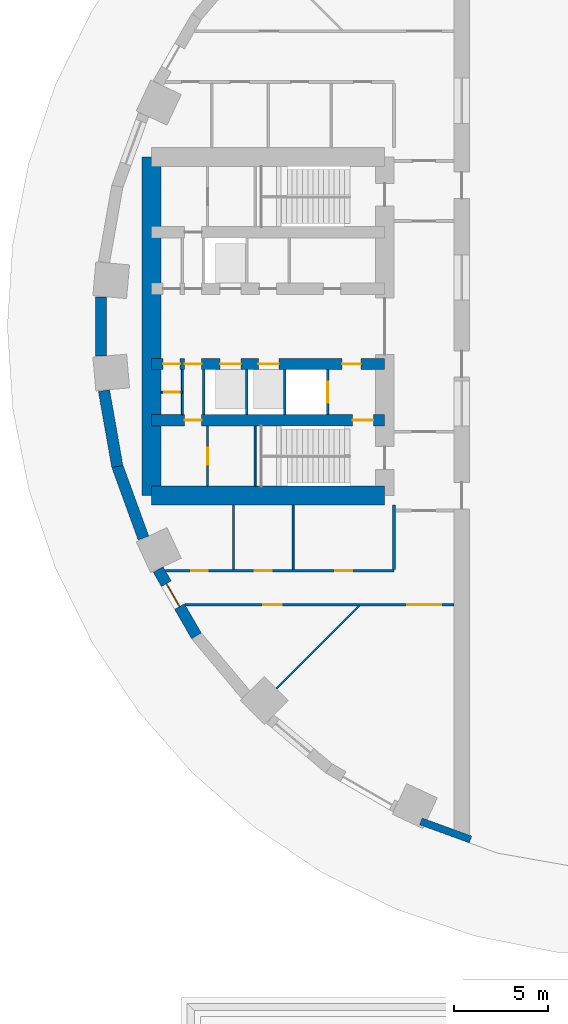
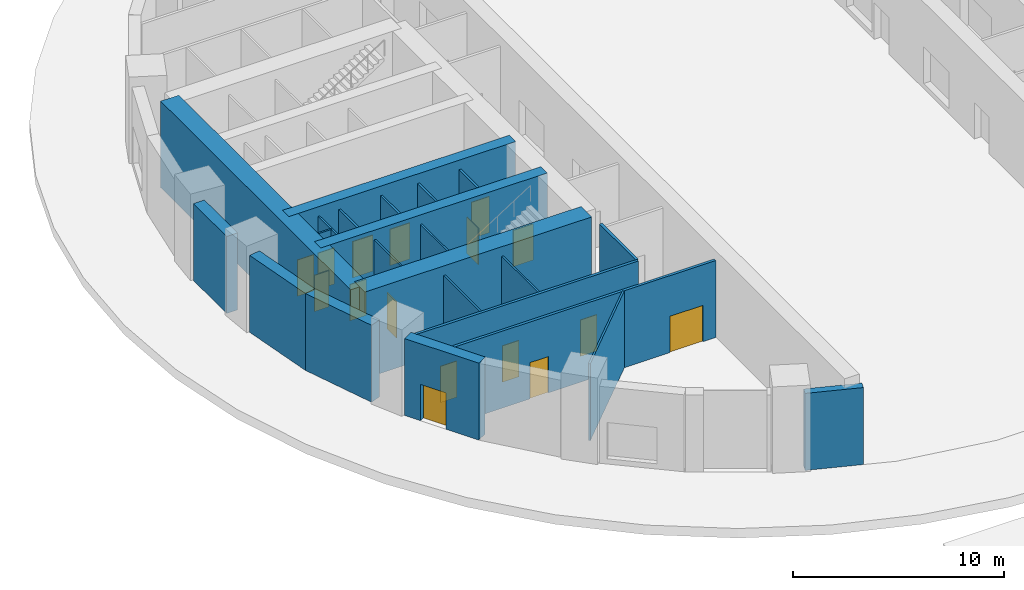
# One storey, part 2 of 10: 23 walls, 16 doors, 16 openings.
"""IFC4 building model written with IfcOpenShell, lengths in metres."""

from ifc_helpers import new_model, si_unit, direction, frame, frame_2d, origin, place, context, subcontext, project, spatial, polyline, rectangle, outline, extrude, material, layer, layer_set, type_object, element, fill, save


model = new_model("IFC4")

# Units and contexts
model_context = context("Model", 3, precision=1e-05, world=origin(), true_north=direction((0.0, 1.0)))
body_context = subcontext(model_context, "Body", "Model", "MODEL_VIEW")
ifc_project = project(units=[si_unit("LENGTHUNIT", "METRE"), si_unit("AREAUNIT", "SQUARE_METRE"), si_unit("VOLUMEUNIT", "CUBIC_METRE"), si_unit("PLANEANGLEUNIT", "RADIAN"), si_unit("MASSUNIT", "GRAM", prefix="KILO")], contexts=[model_context])

# Site, building, storey
site_placement = place(None, origin())
site = spatial("IfcSite", under=ifc_project, at=site_placement, CompositionType="ELEMENT")
building_placement = place(site_placement, origin())
building = spatial("IfcBuilding", under=site, at=building_placement, Name="Saqina Gate Tower", CompositionType="ELEMENT")
storey_placement = place(building_placement, origin())
storey = spatial("IfcBuildingStorey", under=building, at=storey_placement, Name="L00", CompositionType="ELEMENT", Elevation=0.0)

# Wall
ifc_material_1 = material(Name="Gypsum board on steel studs", Category="steel")
ifc_layer_1 = layer(ifc_material_1, 0.10009765625)
ifc_layer_set_1 = layer_set([ifc_layer_1], Name="CORE PARTITION")
wall_type_1 = type_object("IfcWallType", Name="CORE PARTITION", PredefinedType="PARTITIONING", material=ifc_layer_set_1)
wall_1_placement = place(storey_placement, frame((-24.260009765625, -4.699951171875, 0.0), z_axis=(0.0, 0.0, 1.0), x_axis=(0.0, 1.0, 0.0)))
element("IfcWall", 1, at=wall_1_placement, inside=storey, type_object=wall_type_1, Name="L00-CP-W09", PredefinedType="PARTITIONING", context=body_context, shape_type="SweptSolid", body=[
    extrude(rectangle(XDim=2.39990234375, YDim=0.10009765625, at=frame_2d((1.199951171875, 0.0))), origin(), (0.0, 0.0, 1.0), 4.449951171875),
])

# Wall, opening, door
wall_2_placement = place(storey_placement, frame((-24.260009765625, -3.5, 0.0), z_axis=(0.0, 0.0, 1.0), x_axis=(-1.0, 0.0, 0.0)))
wall_2 = element("IfcWall", 2, at=wall_2_placement, inside=storey, type_object=wall_type_1, Name="L00-CP-W10", PredefinedType="PARTITIONING", context=body_context, shape_type="SweptSolid", body=[
    extrude(rectangle(XDim=1.139892578125, YDim=0.10009765625, at=frame_2d((0.56982421875, 0.0))), origin(), (0.0, 0.0, 1.0), 4.449951171875),
])
opening_1_placement = place(wall_2_placement, frame((0.14990234375, 0.0, 0.0)))
opening_1 = element("IfcOpeningElement", 3, at=opening_1_placement, cuts=wall_2, Name="Opening L00-D115", PredefinedType="OPENING", context=body_context, shape_type="SweptSolid", body=[
    extrude(rectangle(XDim=0.800048828125, YDim=2.10009765625, at=frame_2d((0.39990234375, 1.050048828125))), frame((0.0, 0.06201171875, 0.0), z_axis=(0.0, -1.0, 0.0), x_axis=(1.0, 0.0, 0.0)), (0.0, 0.0, 1.0), 0.1240234375),
])
ifc_material_2 = material(Name="Steel-framed fire door leaf, EI 60", Category="steel")
door_type_1 = type_object("IfcDoorType", Name="SERVICE ROOM DOOR 800", OperationType="SINGLE_SWING_LEFT", PredefinedType="DOOR", material=ifc_material_2)
door_1_placement = place(opening_1_placement, origin())
door_1 = element("IfcDoor", 4, at=door_1_placement, inside=storey, type_object=door_type_1, Name="L00-CD-W26", OperationType="SINGLE_SWING_RIGHT", OverallHeight=2.10009765625, OverallWidth=0.800048828125, PredefinedType="DOOR", context=body_context, shape_type="SweptSolid", body=[
    extrude(rectangle(XDim=0.800048828125, YDim=2.10009765625, at=frame_2d((0.39990234375, 1.050048828125))), frame((0.0, 0.02490234375, 0.0), z_axis=(0.0, -1.0, 0.0), x_axis=(1.0, 0.0, 0.0)), (0.0, 0.0, 1.0), 0.050048828125),
])
fill(opening_1, door_1)

wall_3_placement = place(storey_placement, frame((-22.919921875, -8.5, 0.0), z_axis=(0.0, 0.0, 1.0), x_axis=(0.0, 1.0, 0.0)))
wall_3 = element("IfcWall", 5, at=wall_3_placement, inside=storey, type_object=wall_type_1, Name="L00-CP-W14", PredefinedType="PARTITIONING", context=body_context, shape_type="SweptSolid", body=[
    extrude(rectangle(XDim=3.199951171875, YDim=0.10009765625, at=frame_2d((1.60009765625, 0.0))), origin(), (0.0, 0.0, 1.0), 4.449951171875),
])
opening_2_placement = place(wall_3_placement, frame((1.14990234375, 0.0, 0.0)))
opening_2 = element("IfcOpeningElement", 6, at=opening_2_placement, cuts=wall_3, Name="Opening L00-D116", PredefinedType="OPENING", context=body_context, shape_type="SweptSolid", body=[
    extrude(rectangle(XDim=0.89990234375, YDim=2.10009765625, at=frame_2d((0.449951171875, 1.050048828125))), frame((0.0, 0.06201171875, 0.0), z_axis=(0.0, -1.0, 0.0), x_axis=(1.0, 0.0, 0.0)), (0.0, 0.0, 1.0), 0.1240234375),
])
ifc_material_3 = material(Name="Steel-framed fire door leaf, EI 60", Category="steel")
door_type_2 = type_object("IfcDoorType", Name="SERVICE ROOM DOOR 900", OperationType="SINGLE_SWING_LEFT", PredefinedType="DOOR", material=ifc_material_3)
door_2_placement = place(opening_2_placement, frame((0.89990234375, 0.0, 0.0), z_axis=(0.0, 0.0, 1.0), x_axis=(-1.0, 0.0, 0.0)))
door_2 = element("IfcDoor", 7, at=door_2_placement, inside=storey, type_object=door_type_2, Name="L00-CD-W27", OperationType="SINGLE_SWING_RIGHT", OverallHeight=2.10009765625, OverallWidth=0.89990234375, PredefinedType="DOOR", context=body_context, shape_type="SweptSolid", body=[
    extrude(rectangle(XDim=0.89990234375, YDim=2.10009765625, at=frame_2d((0.449951171875, 1.050048828125))), frame((0.0, 0.02490234375, 0.0), z_axis=(0.0, -1.0, 0.0), x_axis=(1.0, 0.0, 0.0)), (0.0, 0.0, 1.0), 0.050048828125),
])
fill(opening_2, door_2)

# Wall
ifc_material_4 = material(Name="Glazed ceramic tile", Category="ceramic")
ifc_layer_2 = layer(ifc_material_4, 0.3798828125)
ifc_layer_set_2 = layer_set([ifc_layer_2], Name="FW-ARCH")
wall_type_2 = type_object("IfcWallType", Name="FW-ARCH", PredefinedType="SOLIDWALL", material=ifc_layer_set_2)
wall_4_placement = place(storey_placement, frame((-11.640625, -26.5068359375, 0.0), z_axis=(-0.342028363555, -0.939687527149, 0.001987421433), x_axis=(0.00066157174, 0.001874177487, 0.999998024889)))
element("IfcWall", 8, at=wall_4_placement, inside=storey, type_object=wall_type_2, Name="Arch frame wall L00 facet 25", PredefinedType="SOLIDWALL", context=body_context, shape_type="SweptSolid", body=[
    extrude(outline(polyline([(0.0, 0.0), (4.449959878062576, -5.421010862427522e-19), (4.449905577463616, -2.8103487256011928), (-5.446211549906747e-05, -2.8101193092447616), (0.0, 0.0)])), origin(), (0.0, 0.0, -1.0), 0.3798828125),
])

# Wall, opening, door
ifc_material_5 = material(Name="Brick masonry (red)", Category="masonry")
ifc_layer_3 = layer(ifc_material_5, 0.60009765625)
ifc_layer_set_3 = layer_set([ifc_layer_3], Name="FW-BRICK-RED")
wall_type_3 = type_object("IfcWallType", Name="FW-BRICK-RED", PredefinedType="SOLIDWALL", material=ifc_layer_set_3)
wall_5_placement = place(storey_placement, frame((-25.545166015625, -12.933837890625, 0.0), z_axis=(0.0, 0.0, 1.0), x_axis=(0.500023678693, -0.866011732453, 0.0)))
wall_5 = element("IfcWall", 9, at=wall_5_placement, inside=storey, type_object=wall_type_3, Name="Facade wall L00 facet 21", PredefinedType="SOLIDWALL", context=body_context, shape_type="SweptSolid", body=[
    extrude(rectangle(XDim=4.069091796875, YDim=0.60009765625, at=frame_2d((2.03466796875, 0.0))), origin(), (0.0, 0.0, 1.0), 4.449951171875),
])
opening_3_placement = place(wall_5_placement, frame((0.87158203125, 0.0, 0.0)))
opening_3 = element("IfcOpeningElement", 10, at=opening_3_placement, cuts=wall_5, Name="Opening L00-D43", PredefinedType="OPENING", context=body_context, shape_type="SweptSolid", body=[
    extrude(rectangle(XDim=1.39990234375, YDim=2.10009765625, at=frame_2d((0.699951171875, 1.050048828125))), frame((0.0, 0.31201171875, 0.0), z_axis=(0.0, -1.0, 0.0), x_axis=(1.0, 0.0, 0.0)), (0.0, 0.0, 1.0), 0.6240234375),
])
ifc_material_6 = material(Name="Steel door leaf with glazed vision panel", Category="steel")
door_type_3 = type_object("IfcDoorType", Name="EXIT DOOR 1400 STEEL", OperationType="SINGLE_SWING_LEFT", PredefinedType="DOOR", material=ifc_material_6)
door_3_placement = place(opening_3_placement, frame((1.39990234375, 0.0, 0.0), z_axis=(0.0, 0.0, 1.0), x_axis=(-1.0, 0.0, 0.0)))
door_3 = element("IfcDoor", 11, at=door_3_placement, inside=storey, type_object=door_type_3, Name="Pedestrian exit 10", OperationType="SINGLE_SWING_RIGHT", OverallHeight=2.10009765625, OverallWidth=1.39990234375, PredefinedType="DOOR", context=body_context, shape_type="SweptSolid", body=[
    extrude(rectangle(XDim=1.39990234375, YDim=2.10009765625, at=frame_2d((0.699951171875, 1.050048828125))), frame((0.0, 0.02490234375, 0.0), z_axis=(0.0, -1.0, 0.0), x_axis=(1.0, 0.0, 0.0)), (0.0, 0.0, 1.0), 0.050048828125),
])
fill(opening_3, door_3)

# Walls
ifc_material_7 = material(Name="Glazed ceramic tile", Category="ceramic")
ifc_layer_4 = layer(ifc_material_7, 0.60009765625)
ifc_layer_set_4 = layer_set([ifc_layer_4], Name="FW-TILE")
wall_type_4 = type_object("IfcWallType", Name="FW-TILE", PredefinedType="SOLIDWALL", material=ifc_layer_set_4)
wall_6_placement = place(storey_placement, frame((-28.42822265625, -3.416748046875, 0.0), z_axis=(0.0, 0.0, 1.0), x_axis=(0.173673210505, -0.984803338719, 0.0)))
element("IfcWall", 12, at=wall_6_placement, inside=storey, type_object=wall_type_4, Name="Facade wall L00 facet 19", PredefinedType="SOLIDWALL", context=body_context, shape_type="SweptSolid", body=[
    extrude(rectangle(XDim=4.09912109375, YDim=0.60009765625, at=frame_2d((2.049560546875, 0.0))), origin(), (0.0, 0.0, 1.0), 4.449951171875),
])
ifc_material_8 = material(Name="Glazed ceramic tile (dark blue)", Category="ceramic")
ifc_layer_5 = layer(ifc_material_8, 0.60009765625)
ifc_layer_set_5 = layer_set([ifc_layer_5], Name="FW-TILE-CB")
wall_type_5 = type_object("IfcWallType", Name="FW-TILE-CB", PredefinedType="SOLIDWALL", material=ifc_layer_set_5)
wall_7_placement = place(storey_placement, frame((-28.589599609375, 1.571533203125, 0.0), z_axis=(0.0, 0.0, 1.0), x_axis=(0.0, -1.0, 0.0)))
element("IfcWall", 13, at=wall_7_placement, inside=storey, type_object=wall_type_5, Name="Facade wall L00 facet 18", PredefinedType="SOLIDWALL", context=body_context, shape_type="SweptSolid", body=[
    extrude(rectangle(XDim=3.14306640625, YDim=0.60009765625, at=frame_2d((1.571533203125, 0.0))), origin(), (0.0, 0.0, 1.0), 4.449951171875),
])
ifc_material_9 = material(Name="Glazed ceramic tile (white)", Category="ceramic")
ifc_layer_6 = layer(ifc_material_9, 0.60009765625)
ifc_layer_set_6 = layer_set([ifc_layer_6], Name="FW-TILE-WH")
wall_type_6 = type_object("IfcWallType", Name="FW-TILE-WH", PredefinedType="SOLIDWALL", material=ifc_layer_set_6)
wall_8_placement = place(storey_placement, frame((-27.72998046875, -7.403076171875, 0.0), z_axis=(0.0, 0.0, 1.0), x_axis=(0.342034744565, -0.939687306241, 0.0)))
element("IfcWall", 14, at=wall_8_placement, inside=storey, type_object=wall_type_6, Name="Facade wall L00 facet 20", PredefinedType="SOLIDWALL", context=body_context, shape_type="SweptSolid", body=[
    extrude(rectangle(XDim=4.099365234375, YDim=0.60009765625, at=frame_2d((2.0498046875, 0.0))), origin(), (0.0, 0.0, 1.0), 4.449951171875),
])

# Wall, opening, door
ifc_material_10 = material(Name="Autoclaved aerated concrete block", Category="concrete")
ifc_layer_7 = layer(ifc_material_10, 0.1201171875)
ifc_layer_set_7 = layer_set([ifc_layer_7], Name="SHAFT PARTITION")
wall_type_7 = type_object("IfcWallType", Name="SHAFT PARTITION", PredefinedType="PARTITIONING", material=ifc_layer_set_7)
wall_9_placement = place(storey_placement, frame((-16.530029296875, -4.699951171875, 0.0), z_axis=(0.0, 0.0, 1.0), x_axis=(0.0, 1.0, 0.0)))
wall_9 = element("IfcWall", 15, at=wall_9_placement, inside=storey, type_object=wall_type_7, Name="L00-CP-W05", PredefinedType="PARTITIONING", context=body_context, shape_type="SweptSolid", body=[
    extrude(rectangle(XDim=2.39990234375, YDim=0.1201171875, at=frame_2d((1.199951171875, 0.0))), origin(), (0.0, 0.0, 1.0), 4.449951171875),
])
opening_4_placement = place(wall_9_placement, frame((0.64990234375, 0.0, 0.0)))
opening_4 = element("IfcOpeningElement", 16, at=opening_4_placement, cuts=wall_9, Name="Opening L00-LD6", PredefinedType="OPENING", context=body_context, shape_type="SweptSolid", body=[
    extrude(rectangle(XDim=1.10009765625, YDim=2.10009765625, at=frame_2d((0.550048828125, 1.050048828125))), frame((0.0, 0.072021484375, 0.0), z_axis=(0.0, -1.0, 0.0), x_axis=(1.0, 0.0, 0.0)), (0.0, 0.0, 1.0), 0.14404296875),
])
ifc_material_11 = material(Name="Stainless steel", Category="steel")
door_type_4 = type_object("IfcDoorType", Name="LANDING DOOR", OperationType="DOUBLE_DOOR_SLIDING", PredefinedType="DOOR", material=ifc_material_11)
door_4_placement = place(opening_4_placement, origin())
door_4 = element("IfcDoor", 17, at=door_4_placement, inside=storey, type_object=door_type_4, Name="LANDING DOOR FF2", OperationType="DOUBLE_DOOR_SLIDING", OverallHeight=2.10009765625, OverallWidth=1.10009765625, PredefinedType="DOOR", context=body_context, shape_type="SweptSolid", body=[
    extrude(rectangle(XDim=1.10009765625, YDim=2.10009765625, at=frame_2d((0.550048828125, 1.050048828125))), frame((0.0, 0.02490234375, 0.0), z_axis=(0.0, -1.0, 0.0), x_axis=(1.0, 0.0, 0.0)), (0.0, 0.0, 1.0), 0.050048828125),
])
fill(opening_4, door_4)

# Walls
for number, where, z_axis, x_axis, name in (
    (18, (-18.81005859375, -4.699951171875, 0.0), (0.0, 0.0, 1.0), (0.0, 1.0, 0.0), "L00-CP-W06"),
    (19, (-20.840087890625, -4.699951171875, 0.0), (0.0, 0.0, 1.0), (0.0, 1.0, 0.0), "L00-CP-W07"),
    (20, (-23.1201171875, -4.699951171875, 0.0), (0.0, 0.0, 1.0), (0.0, 1.0, 0.0), "L00-CP-W08"),
):
    element("IfcWall", number, at=place(storey_placement, frame(where, z_axis=z_axis, x_axis=x_axis)), inside=storey, type_object=wall_type_7, Name=name, PredefinedType="PARTITIONING", context=body_context, shape_type="SweptSolid", body=[
        extrude(rectangle(XDim=2.39990234375, YDim=0.1201171875, at=frame_2d((1.199951171875, 0.0))), origin(), (0.0, 0.0, 1.0), 4.449951171875),
    ])
ifc_material_12 = material(Name="Gypsum board on steel studs, 100 mm", Category="steel")
ifc_layer_8 = layer(ifc_material_12, 0.10009765625)
ifc_layer_set_8 = layer_set([ifc_layer_8], Name="SPECIAL PARTITION 100")
wall_type_8 = type_object("IfcWallType", Name="SPECIAL PARTITION 100", PredefinedType="PARTITIONING", material=ifc_layer_set_8)
wall_10_placement = place(storey_placement, frame((-19.26171875, -19.26171875, 0.0), z_axis=(0.0, 0.0, 1.0), x_axis=(0.707106781187, 0.707106781187, 0.0)))
element("IfcWall", 21, at=wall_10_placement, inside=storey, type_object=wall_type_8, Name="PARTITION 020", PredefinedType="PARTITIONING", context=body_context, shape_type="SweptSolid", body=[
    extrude(rectangle(XDim=6.23486328125, YDim=0.10009765625, at=frame_2d((3.117431640625, 0.0))), origin(), (0.0, 0.0, 1.0), 4.449951171875),
])
for number, where, z_axis, x_axis, name in (
    (22, (-18.367919921875, -12.925048828125, 0.0), (0.0, 0.0, 1.0), (0.0, 1.0, 0.0), "PARTITION 033"),
    (23, (-21.5400390625, -12.925048828125, 0.0), (0.0, 0.0, 1.0), (0.0, 1.0, 0.0), "PARTITION 035"),
):
    element("IfcWall", number, at=place(storey_placement, frame(where, z_axis=z_axis, x_axis=x_axis)), inside=storey, type_object=wall_type_8, Name=name, PredefinedType="PARTITIONING", context=body_context, shape_type="SweptSolid", body=[
        extrude(rectangle(XDim=3.425048828125, YDim=0.10009765625, at=frame_2d((1.71240234375, 0.0))), origin(), (0.0, 0.0, 1.0), 4.449951171875),
    ])

# Wall, openings, doors
ifc_material_13 = material(Name="Gypsum board on steel studs, 150 mm, fire rated", Category="steel")
ifc_layer_9 = layer(ifc_material_13, 0.14990234375)
ifc_layer_set_9 = layer_set([ifc_layer_9], Name="SPECIAL PARTITION EI 30 150")
wall_type_9 = type_object("IfcWallType", Name="SPECIAL PARTITION EI 30 150", PredefinedType="PARTITIONING", material=ifc_layer_set_9)
wall_11_placement = place(storey_placement, frame((-24.12109375, -14.800048828125, 0.0), z_axis=(0.0, 0.0, 1.0), x_axis=(1.0, 0.0, 0.0)))
wall_11 = element("IfcWall", 24, at=wall_11_placement, inside=storey, type_object=wall_type_9, Name="PARTITION 004", PredefinedType="PARTITIONING", context=body_context, shape_type="SweptSolid", body=[
    extrude(rectangle(XDim=14.321044921875, YDim=0.14990234375, at=frame_2d((7.16064453125, 0.0))), origin(), (0.0, 0.0, 1.0), 4.449951171875),
])
opening_5_placement = place(wall_11_placement, frame((4.159423828125, 0.0, 0.0)))
opening_5 = element("IfcOpeningElement", 25, at=opening_5_placement, cuts=wall_11, Name="Opening L00-D20", PredefinedType="OPENING", context=body_context, shape_type="SweptSolid", body=[
    extrude(rectangle(XDim=1.0, YDim=2.10009765625, at=frame_2d((0.5, 1.050048828125))), frame((0.0, 0.0869140625, 0.0), z_axis=(0.0, -1.0, 0.0), x_axis=(1.0, 0.0, 0.0)), (0.0, 0.0, 1.0), 0.173828125),
])
opening_6_placement = place(wall_11_placement, frame((11.819091796875, 0.0, 0.0)))
opening_6 = element("IfcOpeningElement", 26, at=opening_6_placement, cuts=wall_11, Name="Opening L00-D23", PredefinedType="OPENING", context=body_context, shape_type="SweptSolid", body=[
    extrude(rectangle(XDim=1.800048828125, YDim=2.10009765625, at=frame_2d((0.89990234375, 1.050048828125))), frame((0.0, 0.0869140625, 0.0), z_axis=(0.0, -1.0, 0.0), x_axis=(1.0, 0.0, 0.0)), (0.0, 0.0, 1.0), 0.173828125),
])
ifc_material_14 = material(Name="Steel-framed fire door leaf, EI 30", Category="steel")
door_type_5 = type_object("IfcDoorType", Name="SPECIAL DOOR 1000 FIRE EI 30", OperationType="SINGLE_SWING_LEFT", PredefinedType="DOOR", material=ifc_material_14)
door_5_placement = place(opening_5_placement, frame((1.0, 0.0, 0.0), z_axis=(0.0, 0.0, 1.0), x_axis=(-1.0, 0.0, 0.0)))
door_5 = element("IfcDoor", 27, at=door_5_placement, inside=storey, type_object=door_type_5, Name="DOOR L00-D20", OperationType="SINGLE_SWING_RIGHT", OverallHeight=2.10009765625, OverallWidth=1.0, PredefinedType="DOOR", context=body_context, shape_type="SweptSolid", body=[
    extrude(rectangle(XDim=1.0, YDim=2.10009765625, at=frame_2d((0.5, 1.050048828125))), frame((0.0, 0.02490234375, 0.0), z_axis=(0.0, -1.0, 0.0), x_axis=(1.0, 0.0, 0.0)), (0.0, 0.0, 1.0), 0.050048828125),
])
fill(opening_5, door_5)
ifc_material_15 = material(Name="Steel-framed fire door leaf, EI 30", Category="steel")
door_type_6 = type_object("IfcDoorType", Name="SPECIAL DOUBLE DOOR 1800 FIRE EI 30", OperationType="DOUBLE_DOOR_SINGLE_SWING", PredefinedType="DOOR", material=ifc_material_15)
door_6_placement = place(opening_6_placement, origin())
door_6 = element("IfcDoor", 28, at=door_6_placement, inside=storey, type_object=door_type_6, Name="DOOR L00-D23", OperationType="DOUBLE_DOOR_SINGLE_SWING", OverallHeight=2.10009765625, OverallWidth=1.800048828125, PredefinedType="DOOR", context=body_context, shape_type="SweptSolid", body=[
    extrude(rectangle(XDim=1.800048828125, YDim=2.10009765625, at=frame_2d((0.89990234375, 1.050048828125))), frame((0.0, 0.02490234375, 0.0), z_axis=(0.0, -1.0, 0.0), x_axis=(1.0, 0.0, 0.0)), (0.0, 0.0, 1.0), 0.050048828125),
])
fill(opening_6, door_6)

wall_12_placement = place(storey_placement, frame((-25.159912109375, -13.0, 0.0), z_axis=(0.0, 0.0, 1.0), x_axis=(1.0, 0.0, 0.0)))
wall_12 = element("IfcWall", 29, at=wall_12_placement, inside=storey, type_object=wall_type_9, Name="PARTITION 005", PredefinedType="PARTITIONING", context=body_context, shape_type="SweptSolid", body=[
    extrude(rectangle(XDim=12.159912109375, YDim=0.14990234375, at=frame_2d((6.080078125, 0.0))), origin(), (0.0, 0.0, 1.0), 4.449951171875),
])
opening_7_placement = place(wall_12_placement, frame((1.360107421875, 0.0, 0.0)))
opening_7 = element("IfcOpeningElement", 30, at=opening_7_placement, cuts=wall_12, Name="Opening L00-D18", PredefinedType="OPENING", context=body_context, shape_type="SweptSolid", body=[
    extrude(rectangle(XDim=0.89990234375, YDim=2.10009765625, at=frame_2d((0.449951171875, 1.050048828125))), frame((0.0, 0.0869140625, 0.0), z_axis=(0.0, -1.0, 0.0), x_axis=(1.0, 0.0, 0.0)), (0.0, 0.0, 1.0), 0.173828125),
])
opening_8_placement = place(wall_12_placement, frame((4.756103515625, 0.0, 0.0)))
opening_8 = element("IfcOpeningElement", 31, at=opening_8_placement, cuts=wall_12, Name="Opening L00-D19", PredefinedType="OPENING", context=body_context, shape_type="SweptSolid", body=[
    extrude(rectangle(XDim=0.89990234375, YDim=2.10009765625, at=frame_2d((0.449951171875, 1.050048828125))), frame((0.0, 0.0869140625, 0.0), z_axis=(0.0, -1.0, 0.0), x_axis=(1.0, 0.0, 0.0)), (0.0, 0.0, 1.0), 0.173828125),
])
opening_9_placement = place(wall_12_placement, frame((9.02587890625, 0.0, 0.0)))
opening_9 = element("IfcOpeningElement", 32, at=opening_9_placement, cuts=wall_12, Name="Opening L00-D21", PredefinedType="OPENING", context=body_context, shape_type="SweptSolid", body=[
    extrude(rectangle(XDim=0.89990234375, YDim=2.10009765625, at=frame_2d((0.449951171875, 1.050048828125))), frame((0.0, 0.0869140625, 0.0), z_axis=(0.0, -1.0, 0.0), x_axis=(1.0, 0.0, 0.0)), (0.0, 0.0, 1.0), 0.173828125),
])
ifc_material_16 = material(Name="Steel-framed fire door leaf, EI 30", Category="steel")
door_type_7 = type_object("IfcDoorType", Name="SPECIAL DOOR 900 FIRE EI 30", OperationType="SINGLE_SWING_LEFT", PredefinedType="DOOR", material=ifc_material_16)
door_7_placement = place(opening_7_placement, origin())
door_7 = element("IfcDoor", 33, at=door_7_placement, inside=storey, type_object=door_type_7, Name="DOOR L00-D18", OperationType="SINGLE_SWING_LEFT", OverallHeight=2.10009765625, OverallWidth=0.89990234375, PredefinedType="DOOR", context=body_context, shape_type="SweptSolid", body=[
    extrude(rectangle(XDim=0.89990234375, YDim=2.10009765625, at=frame_2d((0.449951171875, 1.050048828125))), frame((0.0, 0.02490234375, 0.0), z_axis=(0.0, -1.0, 0.0), x_axis=(1.0, 0.0, 0.0)), (0.0, 0.0, 1.0), 0.050048828125),
])
fill(opening_7, door_7)
door_8_placement = place(opening_8_placement, origin())
door_8 = element("IfcDoor", 34, at=door_8_placement, inside=storey, type_object=door_type_7, Name="DOOR L00-D19", OperationType="SINGLE_SWING_LEFT", OverallHeight=2.10009765625, OverallWidth=0.89990234375, PredefinedType="DOOR", context=body_context, shape_type="SweptSolid", body=[
    extrude(rectangle(XDim=0.89990234375, YDim=2.10009765625, at=frame_2d((0.449951171875, 1.050048828125))), frame((0.0, 0.02490234375, 0.0), z_axis=(0.0, -1.0, 0.0), x_axis=(1.0, 0.0, 0.0)), (0.0, 0.0, 1.0), 0.050048828125),
])
fill(opening_8, door_8)
door_9_placement = place(opening_9_placement, origin())
door_9 = element("IfcDoor", 35, at=door_9_placement, inside=storey, type_object=door_type_7, Name="DOOR L00-D21", OperationType="SINGLE_SWING_RIGHT", OverallHeight=2.10009765625, OverallWidth=0.89990234375, PredefinedType="DOOR", context=body_context, shape_type="SweptSolid", body=[
    extrude(rectangle(XDim=0.89990234375, YDim=2.10009765625, at=frame_2d((0.449951171875, 1.050048828125))), frame((0.0, 0.02490234375, 0.0), z_axis=(0.0, -1.0, 0.0), x_axis=(1.0, 0.0, 0.0)), (0.0, 0.0, 1.0), 0.050048828125),
])
fill(opening_9, door_9)

# Walls
wall_13_placement = place(storey_placement, frame((-13.0, -12.925048828125, 0.0), z_axis=(0.0, 0.0, 1.0), x_axis=(0.0, 1.0, 0.0)))
element("IfcWall", 36, at=wall_13_placement, inside=storey, type_object=wall_type_9, Name="PARTITION 030", PredefinedType="PARTITIONING", context=body_context, shape_type="SweptSolid", body=[
    extrude(rectangle(XDim=3.425048828125, YDim=0.14990234375, at=frame_2d((1.71240234375, 0.0))), origin(), (0.0, 0.0, 1.0), 4.449951171875),
])
ifc_material_17 = material(Name="Autoclaved aerated concrete block", Category="concrete")
ifc_layer_10 = layer(ifc_material_17, 0.10009765625)
ifc_layer_set_10 = layer_set([ifc_layer_10], Name="STAIR ENCLOSURE WALL")
wall_type_10 = type_object("IfcWallType", Name="STAIR ENCLOSURE WALL", PredefinedType="PARTITIONING", material=ifc_layer_set_10)
wall_14_placement = place(storey_placement, frame((-20.389892578125, -8.5, 0.0), z_axis=(0.0, 0.0, 1.0), x_axis=(0.0, 1.0, 0.0)))
element("IfcWall", 37, at=wall_14_placement, inside=storey, type_object=wall_type_10, Name="L00-CP-W13", PredefinedType="PARTITIONING", context=body_context, shape_type="SweptSolid", body=[
    extrude(rectangle(XDim=3.199951171875, YDim=0.10009765625, at=frame_2d((1.60009765625, 0.0))), origin(), (0.0, 0.0, 1.0), 4.449951171875),
])

# Wall, openings, doors
ifc_material_18 = material(Name="Concrete C70/85", Category="concrete")
ifc_layer_11 = layer(ifc_material_18, 0.60009765625)
ifc_layer_set_11 = layer_set([ifc_layer_11], Name="Concrete C70/85")
wall_type_11 = type_object("IfcWallType", Name="STR-CORE WALL-P-I", PredefinedType="SHEAR", material=ifc_layer_set_11)
wall_15_placement = place(storey_placement, frame((-13.5, -5.0, 0.0), z_axis=(0.0, 0.0, 1.0), x_axis=(-1.0, 0.0, 0.0)))
wall_15 = element("IfcWall", 38, at=wall_15_placement, inside=storey, type_object=wall_type_11, Name="CORE WALL L00 W-X2", PredefinedType="SHEAR", context=body_context, shape_type="SweptSolid", body=[
    extrude(rectangle(XDim=12.39990234375, YDim=0.60009765625, at=frame_2d((6.199951171875, 0.0))), origin(), (0.0, 0.0, 1.0), 5.0),
])
opening_10_placement = place(wall_15_placement, frame((9.739990234375, 0.0, 0.0)))
opening_10 = element("IfcOpeningElement", 39, at=opening_10_placement, cuts=wall_15, Name="Opening L00-D117", PredefinedType="OPENING", context=body_context, shape_type="SweptSolid", body=[
    extrude(rectangle(XDim=0.89990234375, YDim=2.10009765625, at=frame_2d((0.449951171875, 1.050048828125))), frame((0.0, 0.31201171875, 0.0), z_axis=(0.0, -1.0, 0.0), x_axis=(1.0, 0.0, 0.0)), (0.0, 0.0, 1.0), 0.6240234375),
])
opening_11_placement = place(wall_15_placement, frame((0.60009765625, 0.0, 0.0)))
opening_11 = element("IfcOpeningElement", 40, at=opening_11_placement, cuts=wall_15, Name="Opening L00-D118", PredefinedType="OPENING", context=body_context, shape_type="SweptSolid", body=[
    extrude(rectangle(XDim=1.10009765625, YDim=2.10009765625, at=frame_2d((0.550048828125, 1.050048828125))), frame((0.0, 0.31201171875, 0.0), z_axis=(0.0, -1.0, 0.0), x_axis=(1.0, 0.0, 0.0)), (0.0, 0.0, 1.0), 0.6240234375),
])
ifc_material_19 = material(Name="Steel", Category="steel")
door_type_8 = type_object("IfcDoorType", Name="FIRE LOBBY DOOR EI 60 WIDE", OperationType="SINGLE_SWING_LEFT", PredefinedType="DOOR", material=ifc_material_19)
door_10_placement = place(opening_11_placement, origin())
door_10 = element("IfcDoor", 41, at=door_10_placement, inside=storey, type_object=door_type_8, Name="L00-CD-W29", OperationType="SINGLE_SWING_LEFT", OverallHeight=2.10009765625, OverallWidth=1.10009765625, PredefinedType="DOOR", context=body_context, shape_type="SweptSolid", body=[
    extrude(rectangle(XDim=1.10009765625, YDim=2.10009765625, at=frame_2d((0.550048828125, 1.050048828125))), frame((0.0, 0.02490234375, 0.0), z_axis=(0.0, -1.0, 0.0), x_axis=(1.0, 0.0, 0.0)), (0.0, 0.0, 1.0), 0.050048828125),
])
fill(opening_11, door_10)
door_11_placement = place(opening_10_placement, origin())
door_11 = element("IfcDoor", 42, at=door_11_placement, inside=storey, type_object=door_type_2, Name="L00-CD-W28", OperationType="SINGLE_SWING_LEFT", OverallHeight=2.10009765625, OverallWidth=0.89990234375, PredefinedType="DOOR", context=body_context, shape_type="SweptSolid", body=[
    extrude(rectangle(XDim=0.89990234375, YDim=2.10009765625, at=frame_2d((0.449951171875, 1.050048828125))), frame((0.0, 0.02490234375, 0.0), z_axis=(0.0, -1.0, 0.0), x_axis=(1.0, 0.0, 0.0)), (0.0, 0.0, 1.0), 0.050048828125),
])
fill(opening_10, door_11)

wall_16_placement = place(storey_placement, frame((-13.5, -2.0, 0.0), z_axis=(0.0, 0.0, 1.0), x_axis=(-1.0, 0.0, 0.0)))
wall_16 = element("IfcWall", 43, at=wall_16_placement, inside=storey, type_object=wall_type_11, Name="CORE WALL L00 W-L2", PredefinedType="SHEAR", context=body_context, shape_type="SweptSolid", body=[
    extrude(rectangle(XDim=12.39990234375, YDim=0.60009765625, at=frame_2d((6.199951171875, 0.0))), origin(), (0.0, 0.0, 1.0), 5.0),
])
opening_12_placement = place(wall_16_placement, frame((5.6201171875, 0.0, 0.0)))
opening_12 = element("IfcOpeningElement", 44, at=opening_12_placement, cuts=wall_16, Name="Opening L00-LD7", PredefinedType="OPENING", context=body_context, shape_type="SweptSolid", body=[
    extrude(rectangle(XDim=1.10009765625, YDim=2.10009765625, at=frame_2d((0.550048828125, 1.050048828125))), frame((0.0, 0.31201171875, 0.0), z_axis=(0.0, -1.0, 0.0), x_axis=(1.0, 0.0, 0.0)), (0.0, 0.0, 1.0), 0.6240234375),
])
opening_13_placement = place(wall_16_placement, frame((7.64990234375, 0.0, 0.0)))
opening_13 = element("IfcOpeningElement", 45, at=opening_13_placement, cuts=wall_16, Name="Opening L00-LD8", PredefinedType="OPENING", context=body_context, shape_type="SweptSolid", body=[
    extrude(rectangle(XDim=1.10009765625, YDim=2.10009765625, at=frame_2d((0.550048828125, 1.050048828125))), frame((0.0, 0.31201171875, 0.0), z_axis=(0.0, -1.0, 0.0), x_axis=(1.0, 0.0, 0.0)), (0.0, 0.0, 1.0), 0.6240234375),
])
opening_14_placement = place(wall_16_placement, frame((1.264892578125, 0.0, 0.0)))
opening_14 = element("IfcOpeningElement", 46, at=opening_14_placement, cuts=wall_16, Name="Opening L00-D110", PredefinedType="OPENING", context=body_context, shape_type="SweptSolid", body=[
    extrude(rectangle(XDim=1.0, YDim=2.10009765625, at=frame_2d((0.5, 1.050048828125))), frame((0.0, 0.31201171875, 0.0), z_axis=(0.0, -1.0, 0.0), x_axis=(1.0, 0.0, 0.0)), (0.0, 0.0, 1.0), 0.6240234375),
])
opening_15_placement = place(wall_16_placement, frame((9.739990234375, 0.0, 0.0)))
opening_15 = element("IfcOpeningElement", 47, at=opening_15_placement, cuts=wall_16, Name="Opening L00-D111", PredefinedType="OPENING", context=body_context, shape_type="SweptSolid", body=[
    extrude(rectangle(XDim=0.89990234375, YDim=2.10009765625, at=frame_2d((0.449951171875, 1.050048828125))), frame((0.0, 0.31201171875, 0.0), z_axis=(0.0, -1.0, 0.0), x_axis=(1.0, 0.0, 0.0)), (0.0, 0.0, 1.0), 0.6240234375),
])
opening_16_placement = place(wall_16_placement, frame((10.8798828125, 0.0, 0.0)))
opening_16 = element("IfcOpeningElement", 48, at=opening_16_placement, cuts=wall_16, Name="Opening L00-D112", PredefinedType="OPENING", context=body_context, shape_type="SweptSolid", body=[
    extrude(rectangle(XDim=0.89990234375, YDim=2.10009765625, at=frame_2d((0.449951171875, 1.050048828125))), frame((0.0, 0.31201171875, 0.0), z_axis=(0.0, -1.0, 0.0), x_axis=(1.0, 0.0, 0.0)), (0.0, 0.0, 1.0), 0.6240234375),
])
ifc_material_20 = material(Name="Steel", Category="steel")
door_type_9 = type_object("IfcDoorType", Name="FIRE LOBBY DOOR EI 60", OperationType="SINGLE_SWING_LEFT", PredefinedType="DOOR", material=ifc_material_20)
door_12_placement = place(opening_14_placement, frame((1.0, 0.0, 0.0), z_axis=(0.0, 0.0, 1.0), x_axis=(-1.0, 0.0, 0.0)))
door_12 = element("IfcDoor", 49, at=door_12_placement, inside=storey, type_object=door_type_9, Name="L00-CD-W21", OperationType="SINGLE_SWING_RIGHT", OverallHeight=2.10009765625, OverallWidth=1.0, PredefinedType="DOOR", context=body_context, shape_type="SweptSolid", body=[
    extrude(rectangle(XDim=1.0, YDim=2.10009765625, at=frame_2d((0.5, 1.050048828125))), frame((0.0, 0.02490234375, 0.0), z_axis=(0.0, -1.0, 0.0), x_axis=(1.0, 0.0, 0.0)), (0.0, 0.0, 1.0), 0.050048828125),
])
fill(opening_14, door_12)
door_13_placement = place(opening_12_placement, origin())
door_13 = element("IfcDoor", 50, at=door_13_placement, inside=storey, type_object=door_type_4, Name="LANDING DOOR LR6", OperationType="DOUBLE_DOOR_SLIDING", OverallHeight=2.10009765625, OverallWidth=1.10009765625, PredefinedType="DOOR", context=body_context, shape_type="SweptSolid", body=[
    extrude(rectangle(XDim=1.10009765625, YDim=2.10009765625, at=frame_2d((0.550048828125, 1.050048828125))), frame((0.0, 0.02490234375, 0.0), z_axis=(0.0, -1.0, 0.0), x_axis=(1.0, 0.0, 0.0)), (0.0, 0.0, 1.0), 0.050048828125),
])
fill(opening_12, door_13)
door_14_placement = place(opening_13_placement, origin())
door_14 = element("IfcDoor", 51, at=door_14_placement, inside=storey, type_object=door_type_4, Name="LANDING DOOR LR5", OperationType="DOUBLE_DOOR_SLIDING", OverallHeight=2.10009765625, OverallWidth=1.10009765625, PredefinedType="DOOR", context=body_context, shape_type="SweptSolid", body=[
    extrude(rectangle(XDim=1.10009765625, YDim=2.10009765625, at=frame_2d((0.550048828125, 1.050048828125))), frame((0.0, 0.02490234375, 0.0), z_axis=(0.0, -1.0, 0.0), x_axis=(1.0, 0.0, 0.0)), (0.0, 0.0, 1.0), 0.050048828125),
])
fill(opening_13, door_14)
door_15_placement = place(opening_15_placement, origin())
door_15 = element("IfcDoor", 52, at=door_15_placement, inside=storey, type_object=door_type_2, Name="L00-CD-W22", OperationType="SINGLE_SWING_LEFT", OverallHeight=2.10009765625, OverallWidth=0.89990234375, PredefinedType="DOOR", context=body_context, shape_type="SweptSolid", body=[
    extrude(rectangle(XDim=0.89990234375, YDim=2.10009765625, at=frame_2d((0.449951171875, 1.050048828125))), frame((0.0, 0.02490234375, 0.0), z_axis=(0.0, -1.0, 0.0), x_axis=(1.0, 0.0, 0.0)), (0.0, 0.0, 1.0), 0.050048828125),
])
fill(opening_15, door_15)
door_16_placement = place(opening_16_placement, origin())
door_16 = element("IfcDoor", 53, at=door_16_placement, inside=storey, type_object=door_type_2, Name="L00-CD-W23", OperationType="SINGLE_SWING_RIGHT", OverallHeight=2.10009765625, OverallWidth=0.89990234375, PredefinedType="DOOR", context=body_context, shape_type="SweptSolid", body=[
    extrude(rectangle(XDim=0.89990234375, YDim=2.10009765625, at=frame_2d((0.449951171875, 1.050048828125))), frame((0.0, 0.02490234375, 0.0), z_axis=(0.0, -1.0, 0.0), x_axis=(1.0, 0.0, 0.0)), (0.0, 0.0, 1.0), 0.050048828125),
])
fill(opening_16, door_16)

# Walls
ifc_material_21 = material(Name="Concrete C70/85", Category="concrete")
ifc_layer_12 = layer(ifc_material_21, 1.0)
ifc_layer_set_12 = layer_set([ifc_layer_12], Name="Concrete C70/85")
wall_type_12 = type_object("IfcWallType", Name="STR-CORE WALL-P-O", PredefinedType="SHEAR", material=ifc_layer_set_12)
wall_17_placement = place(storey_placement, frame((-25.89990234375, -9.0, 0.0), z_axis=(0.0, 0.0, 1.0), x_axis=(0.0, 1.0, 0.0)))
element("IfcWall", 54, at=wall_17_placement, inside=storey, type_object=wall_type_12, Name="CORE WALL L00 W-W2", PredefinedType="SHEAR", context=body_context, shape_type="SweptSolid", body=[
    extrude(rectangle(XDim=18.0, YDim=1.0, at=frame_2d((9.0, 0.0))), origin(), (0.0, 0.0, 1.0), 5.0),
])
wall_18_placement = place(storey_placement, frame((-13.5, -9.0, 0.0), z_axis=(0.0, 0.0, 1.0), x_axis=(-1.0, 0.0, 0.0)))
element("IfcWall", 55, at=wall_18_placement, inside=storey, type_object=wall_type_12, Name="CORE WALL L00 W-SE", PredefinedType="SHEAR", context=body_context, shape_type="SweptSolid", body=[
    extrude(rectangle(XDim=12.39990234375, YDim=1.0, at=frame_2d((6.199951171875, 0.0))), origin(), (0.0, 0.0, 1.0), 5.0),
])

save(model, "model.ifc")
